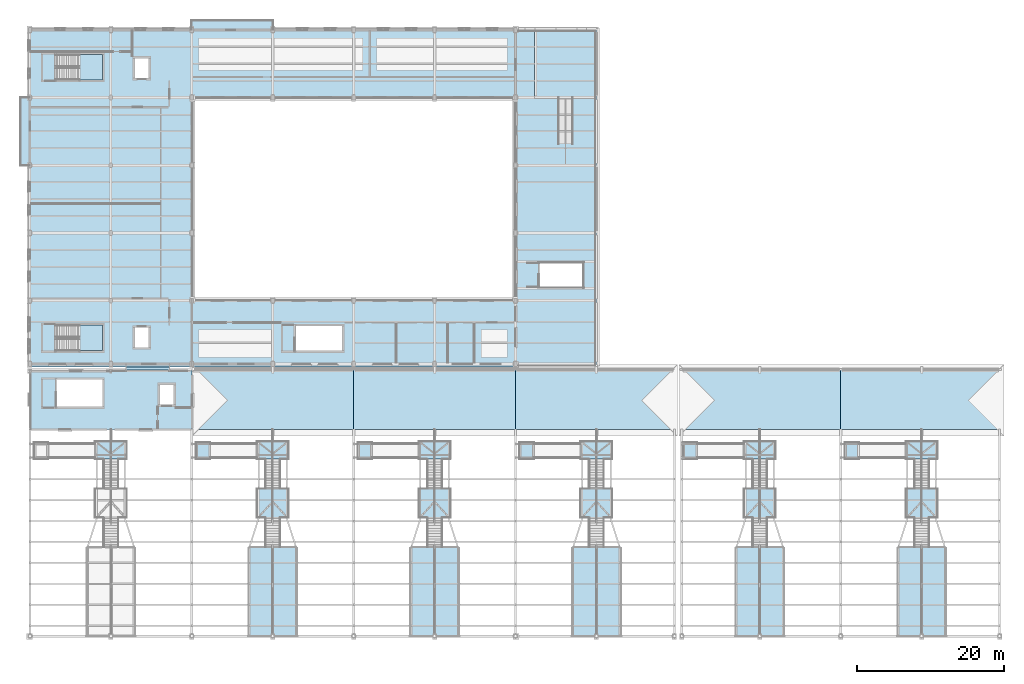
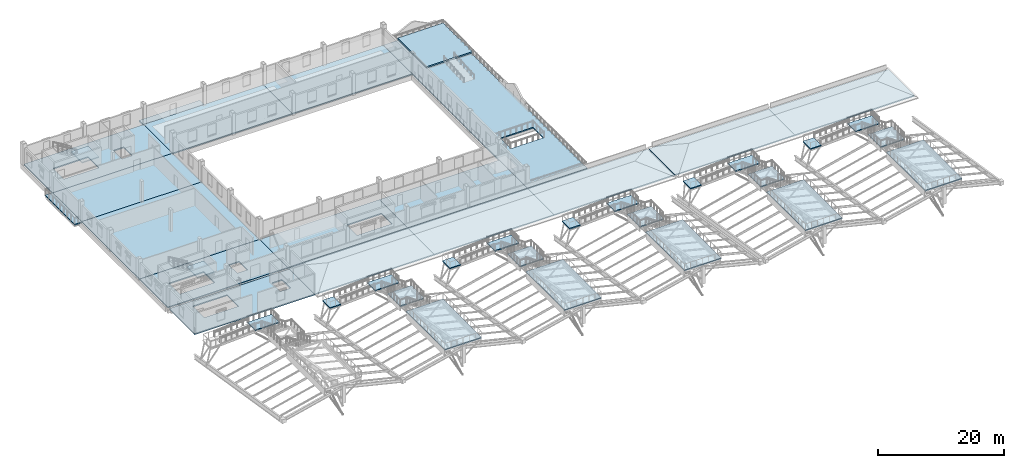
# One storey, part 16 of 43: 42 slabs, 8 elements without a shape of their own.
"""IFC4 building model written with IfcOpenShell, lengths in metres."""

from ifc_helpers import new_model, si_unit, direction, frame, origin, place, context, subcontext, project, spatial, polyline, outline, extrude, material, layer, layer_set, type_object, element, aggregate, save


model = new_model("IFC4")

# Units and contexts
model_context = context("Model", 3, precision=1e-05, world=origin(), true_north=direction((0.0, 1.0)))
body_context = subcontext(model_context, "Body", "Model", "MODEL_VIEW")
ifc_project = project(units=[si_unit("LENGTHUNIT", "METRE"), si_unit("AREAUNIT", "SQUARE_METRE"), si_unit("VOLUMEUNIT", "CUBIC_METRE"), si_unit("PLANEANGLEUNIT", "RADIAN"), si_unit("MASSUNIT", "GRAM", prefix="KILO")], contexts=[model_context])

# Site, building, storey
site_placement = place(None, origin())
site = spatial("IfcSite", under=ifc_project, at=site_placement, CompositionType="ELEMENT")
building_placement = place(site_placement, origin())
building = spatial("IfcBuilding", under=site, at=building_placement, Name="Caurita Quay Ferry Terminal", CompositionType="ELEMENT")
storey_placement = place(building_placement, frame((0.0, 0.0, 14.10009765625)))
storey = spatial("IfcBuildingStorey", under=building, at=storey_placement, Name="L03", CompositionType="ELEMENT", Elevation=14.10009765625)

# Slabs
ifc_material = material(Name="Reinforced concrete C35/45", Category="concrete")
ifc_layer_1 = layer(ifc_material, 0.219970703125, Name="Reinforced concrete floor slab 220 mm")
ifc_layer_set_1 = layer_set([ifc_layer_1], Name="Reinforced concrete C35/45")
slab_type_1 = type_object("IfcSlabType", Name="SLB-BAL-220", PredefinedType="FLOOR", material=ifc_layer_set_1)
slab_1_placement = place(storey_placement, frame((0.0, 0.0, -0.22021484375)))
element("IfcSlab", 1, at=slab_1_placement, inside=storey, type_object=slab_type_1, Name="Crew Lounge Street Rejas Balcony", PredefinedType="FLOOR", context=body_context, shape_type="SweptSolid", body=[
    extrude(outline(polyline([(21.89990234375, 117.0), (33.10009765625, 117.0), (33.10009765625, 118.35009765625), (21.89990234375, 118.35009765625), (21.89990234375, 117.0)])), origin(), (0.0, 0.0, 1.0), 0.22021484375),
])
slab_2_placement = place(storey_placement, frame((0.0, 0.0, -0.22021484375)))
element("IfcSlab", 2, at=slab_2_placement, inside=storey, type_object=slab_type_1, Name="Harbour Master Waterfront Rejas Balcony", PredefinedType="FLOOR", context=body_context, shape_type="SweptSolid", body=[
    extrude(outline(polyline([(-1.35009765625, 98.5), (0.0, 98.5), (0.0, 107.89990234375), (-1.35009765625, 107.89990234375), (-1.35009765625, 98.5)])), origin(), (0.0, 0.0, 1.0), 0.22021484375),
])
ifc_layer_2 = layer(ifc_material, 0.219970703125, Name="Reinforced concrete floor slab 220 mm")
ifc_layer_set_2 = layer_set([ifc_layer_2], Name="Reinforced concrete C35/45")
slab_type_2 = type_object("IfcSlabType", Name="SLB-FLR-220", PredefinedType="FLOOR", material=ifc_layer_set_2)
slab_3_placement = place(storey_placement, frame((0.0, 0.0, -0.22021484375)))
element("IfcSlab", 3, at=slab_3_placement, inside=storey, type_object=slab_type_2, Name="L03 SJ4-W Slab 01", PredefinedType="FLOOR", context=body_context, shape_type="SweptSolid", body=[
    extrude(outline(polyline([(13.0, 70.760009765625), (19.0, 70.760009765625), (19.0, 71.18994140625), (13.0, 71.18994140625), (13.0, 70.760009765625)])), origin(), (0.0, 0.0, 1.0), 0.22021484375),
])
slab_4_placement = place(storey_placement, frame((0.0, 0.0, -0.22021484375)))
element("IfcSlab", 4, at=slab_4_placement, inside=storey, type_object=slab_type_2, Name="L03 V1-BLV Slab 01", PredefinedType="FLOOR", context=body_context, shape_type="SweptSolid", body=[
    extrude(outline(polyline([(0.0, 62.699951171875), (22.0, 62.699951171875), (22.0, 70.75), (0.0, 70.75), (0.0, 62.699951171875)]), holes=[polyline([(3.550048828125, 65.800048828125), (9.85009765625, 65.800048828125), (9.85009765625, 69.4599609375), (3.550048828125, 69.4599609375), (3.550048828125, 65.800048828125)]), polyline([(17.655029296875, 66.054931640625), (19.544921875, 66.054931640625), (19.544921875, 68.7451171875), (17.655029296875, 68.7451171875), (17.655029296875, 66.054931640625)])]), origin(), (0.0, 0.0, 1.0), 0.22021484375),
])
slab_5_placement = place(storey_placement, frame((0.0, 0.0, -0.22021484375)))
element("IfcSlab", 5, at=slab_5_placement, inside=storey, type_object=slab_type_2, Name="L03 V5-FLR Slab 01", PredefinedType="FLOOR", context=body_context, shape_type="SweptSolid", body=[
    extrude(outline(polyline([(0.0, 71.199951171875), (22.0, 71.199951171875), (22.0, 80.199951171875), (0.0, 80.199951171875), (0.0, 71.199951171875)]), holes=[polyline([(3.449951171875, 73.39990234375), (9.85009765625, 73.39990234375), (9.85009765625, 76.860107421875), (3.449951171875, 76.860107421875), (3.449951171875, 73.39990234375)]), polyline([(14.2548828125, 73.85498046875), (16.14501953125, 73.85498046875), (16.14501953125, 76.544921875), (14.2548828125, 76.544921875), (14.2548828125, 73.85498046875)])]), origin(), (0.0, 0.0, 1.0), 0.22021484375),
])
slab_6_placement = place(storey_placement, frame((0.0, 0.0, -0.22021484375)))
element("IfcSlab", 6, at=slab_6_placement, inside=storey, type_object=slab_type_2, Name="L03 V5-FLR Slab 02", PredefinedType="FLOOR", context=body_context, shape_type="SweptSolid", body=[
    extrude(outline(polyline([(0.0, 80.199951171875), (22.0, 80.199951171875), (22.0, 98.60009765625), (0.0, 98.60009765625), (0.0, 80.199951171875)])), origin(), (0.0, 0.0, 1.0), 0.22021484375),
])
slab_7_placement = place(storey_placement, frame((0.0, 0.0, -0.22021484375)))
element("IfcSlab", 7, at=slab_7_placement, inside=storey, type_object=slab_type_2, Name="L03 V5-FLR Slab 03", PredefinedType="FLOOR", context=body_context, shape_type="SweptSolid", body=[
    extrude(outline(polyline([(0.0, 98.60009765625), (22.0, 98.60009765625), (22.0, 107.800048828125), (0.0, 107.800048828125), (0.0, 98.60009765625)])), origin(), (0.0, 0.0, 1.0), 0.22021484375),
])
slab_8_placement = place(storey_placement, frame((0.0, 0.0, -0.22021484375)))
element("IfcSlab", 8, at=slab_8_placement, inside=storey, type_object=slab_type_2, Name="L03 V5-FLR Slab 04", PredefinedType="FLOOR", context=body_context, shape_type="SweptSolid", body=[
    extrude(outline(polyline([(0.0, 107.800048828125), (22.0, 107.800048828125), (22.0, 117.0), (0.0, 117.0), (0.0, 107.800048828125)]), holes=[polyline([(3.449951171875, 110.199951171875), (9.85009765625, 110.199951171875), (9.85009765625, 113.659912109375), (3.449951171875, 113.659912109375), (3.449951171875, 110.199951171875)]), polyline([(14.2548828125, 110.455078125), (16.14501953125, 110.455078125), (16.14501953125, 113.14501953125), (14.2548828125, 113.14501953125), (14.2548828125, 110.455078125)])]), origin(), (0.0, 0.0, 1.0), 0.22021484375),
])
slab_9_placement = place(storey_placement, frame((0.0, 0.0, -0.22021484375)))
element("IfcSlab", 9, at=slab_9_placement, inside=storey, type_object=slab_type_2, Name="L03 V5-FLR Slab 05", PredefinedType="FLOOR", context=body_context, shape_type="SweptSolid", body=[
    extrude(outline(polyline([(22.0, 71.199951171875), (44.0, 71.199951171875), (44.0, 80.199951171875), (22.0, 80.199951171875), (22.0, 71.199951171875)]), holes=[polyline([(36.0, 73.39990234375), (42.449951171875, 73.39990234375), (42.449951171875, 76.760009765625), (36.0, 76.760009765625), (36.0, 73.39990234375)])]), origin(), (0.0, 0.0, 1.0), 0.22021484375),
])
slab_10_placement = place(storey_placement, frame((0.0, 0.0, -0.22021484375)))
element("IfcSlab", 10, at=slab_10_placement, inside=storey, type_object=slab_type_2, Name="L03 V5-FLR Slab 06", PredefinedType="FLOOR", context=body_context, shape_type="SweptSolid", body=[
    extrude(outline(polyline([(22.0, 107.800048828125), (44.0, 107.800048828125), (44.0, 117.0), (22.0, 117.0), (22.0, 107.800048828125)])), origin(), (0.0, 0.0, 1.0), 0.22021484375),
])
slab_11_placement = place(storey_placement, frame((0.0, 0.0, -0.22021484375)))
element("IfcSlab", 11, at=slab_11_placement, inside=storey, type_object=slab_type_2, Name="L03 V5-FLR Slab 07", PredefinedType="FLOOR", context=body_context, shape_type="SweptSolid", body=[
    extrude(outline(polyline([(44.0, 71.199951171875), (66.0, 71.199951171875), (66.0, 80.199951171875), (44.0, 80.199951171875), (44.0, 71.199951171875)])), origin(), (0.0, 0.0, 1.0), 0.22021484375),
])
slab_12_placement = place(storey_placement, frame((0.0, 0.0, -0.22021484375)))
element("IfcSlab", 12, at=slab_12_placement, inside=storey, type_object=slab_type_2, Name="L03 V5-FLR Slab 08", PredefinedType="FLOOR", context=body_context, shape_type="SweptSolid", body=[
    extrude(outline(polyline([(44.0, 107.800048828125), (66.0, 107.800048828125), (66.0, 117.0), (44.0, 117.0), (44.0, 107.800048828125)])), origin(), (0.0, 0.0, 1.0), 0.22021484375),
])
ifc_layer_3 = layer(ifc_material, 0.260009765625, Name="Reinforced concrete floor slab 260 mm")
ifc_layer_set_3 = layer_set([ifc_layer_3], Name="Reinforced concrete C35/45")
slab_type_3 = type_object("IfcSlabType", Name="SLB-GDN-260", PredefinedType="FLOOR", material=ifc_layer_set_3)
slab_13_placement = place(storey_placement, frame((0.0, 0.0, 0.18994140625)))
element("IfcSlab", 13, at=slab_13_placement, inside=storey, type_object=slab_type_3, Name="Harbour Lookout Overlook Platform", PredefinedType="FLOOR", context=body_context, shape_type="SweptSolid", body=[
    extrude(outline(polyline([(68.60009765625, 107.800048828125), (77.0, 107.800048828125), (77.0, 117.0), (68.60009765625, 117.0), (68.60009765625, 107.800048828125)])), origin(), (0.0, 0.0, 1.0), 0.260009765625),
])

# Stair, slab
stair_type_1 = type_object("IfcStairType", Name="STR-DL-03", PredefinedType="HALF_TURN_STAIR", material=ifc_material)
stair_1_placement = place(storey_placement, origin())
stair_1 = element("IfcStair", 14, at=stair_1_placement, inside=storey, type_object=stair_type_1, Name="L03 Protected Exit Stair ST-01", PredefinedType="HALF_TURN_STAIR")
ifc_layer_4 = layer(ifc_material, 0.199951171875, Name="Reinforced concrete landing slab 200 mm")
ifc_layer_set_4 = layer_set([ifc_layer_4], Name="Reinforced concrete C35/45")
slab_type_4 = type_object("IfcSlabType", Name="SLB-LND-200", PredefinedType="LANDING", material=ifc_layer_set_4)
slab_14_placement = place(storey_placement, frame((0.0, 0.0, 1.89990234375)))
slab_14 = element("IfcSlab", 15, at=slab_14_placement, type_object=slab_type_4, Name="ST-01 landing 1", PredefinedType="LANDING", context=body_context, shape_type="SweptSolid", body=[
    extrude(outline(polyline([(6.75, 110.199951171875), (9.85009765625, 110.199951171875), (9.85009765625, 113.659912109375), (6.75, 113.659912109375), (6.75, 110.199951171875)])), origin(), (0.0, 0.0, 1.0), 0.199951171875),
])
aggregate(stair_1, [slab_14])

stair_2_placement = place(storey_placement, origin())
stair_2 = element("IfcStair", 16, at=stair_2_placement, inside=storey, type_object=stair_type_1, Name="L03 Protected Exit Stair ST-02", PredefinedType="HALF_TURN_STAIR")
slab_15_placement = place(storey_placement, frame((0.0, 0.0, 1.89990234375)))
slab_15 = element("IfcSlab", 17, at=slab_15_placement, type_object=slab_type_4, Name="ST-02 landing 1", PredefinedType="LANDING", context=body_context, shape_type="SweptSolid", body=[
    extrude(outline(polyline([(6.75, 73.39990234375), (9.85009765625, 73.39990234375), (9.85009765625, 76.860107421875), (6.75, 76.860107421875), (6.75, 73.39990234375)])), origin(), (0.0, 0.0, 1.0), 0.199951171875),
])
aggregate(stair_2, [slab_15])

stair_type_2 = type_object("IfcStairType", Name="STR-PK-01", PredefinedType="STRAIGHT_RUN_STAIR", material=ifc_material)
stair_3_placement = place(storey_placement, origin())
stair_3 = element("IfcStair", 18, at=stair_3_placement, inside=storey, type_object=stair_type_2, Name="Folded Roof Bay 1 Lookout Stair ST-15", PredefinedType="STRAIGHT_RUN_STAIR")
slab_16_placement = place(storey_placement, frame((0.0, 0.0, -0.10009765625)))
slab_16 = element("IfcSlab", 19, at=slab_16_placement, type_object=slab_type_4, Name="ST-15 landing 1", PredefinedType="LANDING", context=body_context, shape_type="SweptSolid", body=[
    extrude(outline(polyline([(8.800048828125, 58.64990234375), (13.199951171875, 58.64990234375), (13.199951171875, 61.14990234375), (8.800048828125, 61.14990234375), (8.800048828125, 58.64990234375)])), origin(), (0.0, 0.0, 1.0), 0.199951171875),
])
aggregate(stair_3, [slab_16])

# Stair, slabs
stair_4_placement = place(storey_placement, origin())
stair_4 = element("IfcStair", 20, at=stair_4_placement, inside=storey, type_object=stair_type_2, Name="Folded Roof Bay 2 Lookout Stair ST-16", PredefinedType="STRAIGHT_RUN_STAIR")
slab_17_placement = place(storey_placement, frame((0.0, 0.0, -0.10009765625)))
slab_17 = element("IfcSlab", 21, at=slab_17_placement, type_object=slab_type_4, Name="ST-16 landing 1", PredefinedType="LANDING", context=body_context, shape_type="SweptSolid", body=[
    extrude(outline(polyline([(30.800048828125, 58.64990234375), (35.199951171875, 58.64990234375), (35.199951171875, 61.14990234375), (30.800048828125, 61.14990234375), (30.800048828125, 58.64990234375)])), origin(), (0.0, 0.0, 1.0), 0.199951171875),
])
slab_18_placement = place(storey_placement, frame((0.0, 0.0, 1.699951171875)))
slab_18 = element("IfcSlab", 22, at=slab_18_placement, type_object=slab_type_4, Name="ST-16 landing 2", PredefinedType="LANDING", context=body_context, shape_type="SweptSolid", body=[
    extrude(outline(polyline([(30.800048828125, 50.68994140625), (35.199951171875, 50.68994140625), (35.199951171875, 54.68994140625), (30.800048828125, 54.68994140625), (30.800048828125, 50.68994140625)])), origin(), (0.0, 0.0, 1.0), 0.199951171875),
])
slab_19_placement = place(storey_placement, frame((0.0, 0.0, 3.5)))
slab_19 = element("IfcSlab", 23, at=slab_19_placement, type_object=slab_type_4, Name="Waterside Peak Lookout Platform 2", PredefinedType="LANDING", context=body_context, shape_type="SweptSolid", body=[
    extrude(outline(polyline([(29.60009765625, 34.449951171875), (36.39990234375, 34.449951171875), (36.39990234375, 46.72998046875), (29.60009765625, 46.72998046875), (29.60009765625, 34.449951171875)])), origin(), (0.0, 0.0, 1.0), 0.199951171875),
])
aggregate(stair_4, [slab_17, slab_18, slab_19])

stair_5_placement = place(storey_placement, origin())
stair_5 = element("IfcStair", 24, at=stair_5_placement, inside=storey, type_object=stair_type_2, Name="Folded Roof Bay 3 Lookout Stair ST-17", PredefinedType="STRAIGHT_RUN_STAIR")
slab_20_placement = place(storey_placement, frame((0.0, 0.0, -0.10009765625)))
slab_20 = element("IfcSlab", 25, at=slab_20_placement, type_object=slab_type_4, Name="ST-17 landing 1", PredefinedType="LANDING", context=body_context, shape_type="SweptSolid", body=[
    extrude(outline(polyline([(52.800048828125, 58.64990234375), (57.199951171875, 58.64990234375), (57.199951171875, 61.14990234375), (52.800048828125, 61.14990234375), (52.800048828125, 58.64990234375)])), origin(), (0.0, 0.0, 1.0), 0.199951171875),
])
slab_21_placement = place(storey_placement, frame((0.0, 0.0, 1.699951171875)))
slab_21 = element("IfcSlab", 26, at=slab_21_placement, type_object=slab_type_4, Name="ST-17 landing 2", PredefinedType="LANDING", context=body_context, shape_type="SweptSolid", body=[
    extrude(outline(polyline([(52.800048828125, 50.68994140625), (57.199951171875, 50.68994140625), (57.199951171875, 54.68994140625), (52.800048828125, 54.68994140625), (52.800048828125, 50.68994140625)])), origin(), (0.0, 0.0, 1.0), 0.199951171875),
])
slab_22_placement = place(storey_placement, frame((0.0, 0.0, 3.5)))
slab_22 = element("IfcSlab", 27, at=slab_22_placement, type_object=slab_type_4, Name="Waterside Peak Lookout Platform 3", PredefinedType="LANDING", context=body_context, shape_type="SweptSolid", body=[
    extrude(outline(polyline([(51.60009765625, 34.449951171875), (58.39990234375, 34.449951171875), (58.39990234375, 46.72998046875), (51.60009765625, 46.72998046875), (51.60009765625, 34.449951171875)])), origin(), (0.0, 0.0, 1.0), 0.199951171875),
])
aggregate(stair_5, [slab_20, slab_21, slab_22])

stair_6_placement = place(storey_placement, origin())
stair_6 = element("IfcStair", 28, at=stair_6_placement, inside=storey, type_object=stair_type_2, Name="Folded Roof Bay 4 Lookout Stair ST-18", PredefinedType="STRAIGHT_RUN_STAIR")
slab_23_placement = place(storey_placement, frame((0.0, 0.0, -0.10009765625)))
slab_23 = element("IfcSlab", 29, at=slab_23_placement, type_object=slab_type_4, Name="ST-18 landing 1", PredefinedType="LANDING", context=body_context, shape_type="SweptSolid", body=[
    extrude(outline(polyline([(74.800048828125, 58.64990234375), (79.199951171875, 58.64990234375), (79.199951171875, 61.14990234375), (74.800048828125, 61.14990234375), (74.800048828125, 58.64990234375)])), origin(), (0.0, 0.0, 1.0), 0.199951171875),
])
slab_24_placement = place(storey_placement, frame((0.0, 0.0, 1.699951171875)))
slab_24 = element("IfcSlab", 30, at=slab_24_placement, type_object=slab_type_4, Name="ST-18 landing 2", PredefinedType="LANDING", context=body_context, shape_type="SweptSolid", body=[
    extrude(outline(polyline([(74.800048828125, 50.68994140625), (79.199951171875, 50.68994140625), (79.199951171875, 54.68994140625), (74.800048828125, 54.68994140625), (74.800048828125, 50.68994140625)])), origin(), (0.0, 0.0, 1.0), 0.199951171875),
])
slab_25_placement = place(storey_placement, frame((0.0, 0.0, 3.5)))
slab_25 = element("IfcSlab", 31, at=slab_25_placement, type_object=slab_type_4, Name="Waterside Peak Lookout Platform 4", PredefinedType="LANDING", context=body_context, shape_type="SweptSolid", body=[
    extrude(outline(polyline([(73.60009765625, 34.449951171875), (80.39990234375, 34.449951171875), (80.39990234375, 46.72998046875), (73.60009765625, 46.72998046875), (73.60009765625, 34.449951171875)])), origin(), (0.0, 0.0, 1.0), 0.199951171875),
])
aggregate(stair_6, [slab_23, slab_24, slab_25])

stair_7_placement = place(storey_placement, origin())
stair_7 = element("IfcStair", 32, at=stair_7_placement, inside=storey, type_object=stair_type_2, Name="Folded Roof Bay 5 Lookout Stair ST-19", PredefinedType="STRAIGHT_RUN_STAIR")
slab_26_placement = place(storey_placement, frame((0.0, 0.0, -0.10009765625)))
slab_26 = element("IfcSlab", 33, at=slab_26_placement, type_object=slab_type_4, Name="ST-19 landing 1", PredefinedType="LANDING", context=body_context, shape_type="SweptSolid", body=[
    extrude(outline(polyline([(97.0, 58.64990234375), (101.39990234375, 58.64990234375), (101.39990234375, 61.14990234375), (97.0, 61.14990234375), (97.0, 58.64990234375)])), origin(), (0.0, 0.0, 1.0), 0.199951171875),
])
slab_27_placement = place(storey_placement, frame((0.0, 0.0, 1.699951171875)))
slab_27 = element("IfcSlab", 34, at=slab_27_placement, type_object=slab_type_4, Name="ST-19 landing 2", PredefinedType="LANDING", context=body_context, shape_type="SweptSolid", body=[
    extrude(outline(polyline([(97.0, 50.68994140625), (101.39990234375, 50.68994140625), (101.39990234375, 54.68994140625), (97.0, 54.68994140625), (97.0, 50.68994140625)])), origin(), (0.0, 0.0, 1.0), 0.199951171875),
])
slab_28_placement = place(storey_placement, frame((0.0, 0.0, 3.5)))
slab_28 = element("IfcSlab", 35, at=slab_28_placement, type_object=slab_type_4, Name="Waterside Peak Lookout Platform 5", PredefinedType="LANDING", context=body_context, shape_type="SweptSolid", body=[
    extrude(outline(polyline([(95.800048828125, 34.449951171875), (102.60009765625, 34.449951171875), (102.60009765625, 46.72998046875), (95.800048828125, 46.72998046875), (95.800048828125, 34.449951171875)])), origin(), (0.0, 0.0, 1.0), 0.199951171875),
])
aggregate(stair_7, [slab_26, slab_27, slab_28])

stair_8_placement = place(storey_placement, origin())
stair_8 = element("IfcStair", 36, at=stair_8_placement, inside=storey, type_object=stair_type_2, Name="Folded Roof Bay 6 Lookout Stair ST-20", PredefinedType="STRAIGHT_RUN_STAIR")
slab_29_placement = place(storey_placement, frame((0.0, 0.0, -0.10009765625)))
slab_29 = element("IfcSlab", 37, at=slab_29_placement, type_object=slab_type_4, Name="ST-20 landing 1", PredefinedType="LANDING", context=body_context, shape_type="SweptSolid", body=[
    extrude(outline(polyline([(119.0, 58.64990234375), (123.39990234375, 58.64990234375), (123.39990234375, 61.14990234375), (119.0, 61.14990234375), (119.0, 58.64990234375)])), origin(), (0.0, 0.0, 1.0), 0.199951171875),
])
slab_30_placement = place(storey_placement, frame((0.0, 0.0, 1.699951171875)))
slab_30 = element("IfcSlab", 38, at=slab_30_placement, type_object=slab_type_4, Name="ST-20 landing 2", PredefinedType="LANDING", context=body_context, shape_type="SweptSolid", body=[
    extrude(outline(polyline([(119.0, 50.68994140625), (123.39990234375, 50.68994140625), (123.39990234375, 54.68994140625), (119.0, 54.68994140625), (119.0, 50.68994140625)])), origin(), (0.0, 0.0, 1.0), 0.199951171875),
])
slab_31_placement = place(storey_placement, frame((0.0, 0.0, 3.5)))
slab_31 = element("IfcSlab", 39, at=slab_31_placement, type_object=slab_type_4, Name="Waterside Peak Lookout Platform 6", PredefinedType="LANDING", context=body_context, shape_type="SweptSolid", body=[
    extrude(outline(polyline([(117.800048828125, 34.449951171875), (124.60009765625, 34.449951171875), (124.60009765625, 46.72998046875), (117.800048828125, 46.72998046875), (117.800048828125, 34.449951171875)])), origin(), (0.0, 0.0, 1.0), 0.199951171875),
])
aggregate(stair_8, [slab_29, slab_30, slab_31])

# Slabs
slab_32_placement = place(storey_placement, frame((0.0, 0.0, -0.550048828125)))
element("IfcSlab", 40, at=slab_32_placement, inside=storey, type_object=slab_type_4, Name="Folded Roof Bay 2 Accessible Lookout Ramp Lower Threshold Landing", PredefinedType="LANDING", context=body_context, shape_type="SweptSolid", body=[
    extrude(outline(polyline([(22.5, 58.60009765625), (24.5, 58.60009765625), (24.5, 61.0), (22.5, 61.0), (22.5, 58.60009765625)])), origin(), (0.0, 0.0, 1.0), 0.199951171875),
])
slab_33_placement = place(storey_placement, frame((0.0, 0.0, -0.550048828125)))
element("IfcSlab", 41, at=slab_33_placement, inside=storey, type_object=slab_type_4, Name="Folded Roof Bay 3 Accessible Lookout Ramp Lower Threshold Landing", PredefinedType="LANDING", context=body_context, shape_type="SweptSolid", body=[
    extrude(outline(polyline([(44.5, 58.60009765625), (46.5, 58.60009765625), (46.5, 61.0), (44.5, 61.0), (44.5, 58.60009765625)])), origin(), (0.0, 0.0, 1.0), 0.199951171875),
])
slab_34_placement = place(storey_placement, frame((0.0, 0.0, -0.550048828125)))
element("IfcSlab", 42, at=slab_34_placement, inside=storey, type_object=slab_type_4, Name="Folded Roof Bay 4 Accessible Lookout Ramp Lower Threshold Landing", PredefinedType="LANDING", context=body_context, shape_type="SweptSolid", body=[
    extrude(outline(polyline([(66.5, 58.60009765625), (68.5, 58.60009765625), (68.5, 61.0), (66.5, 61.0), (66.5, 58.60009765625)])), origin(), (0.0, 0.0, 1.0), 0.199951171875),
])
slab_35_placement = place(storey_placement, frame((0.0, 0.0, -0.550048828125)))
element("IfcSlab", 43, at=slab_35_placement, inside=storey, type_object=slab_type_4, Name="Folded Roof Bay 5 Accessible Lookout Ramp Lower Threshold Landing", PredefinedType="LANDING", context=body_context, shape_type="SweptSolid", body=[
    extrude(outline(polyline([(88.699951171875, 58.60009765625), (90.699951171875, 58.60009765625), (90.699951171875, 61.0), (88.699951171875, 61.0), (88.699951171875, 58.60009765625)])), origin(), (0.0, 0.0, 1.0), 0.199951171875),
])
slab_36_placement = place(storey_placement, frame((0.0, 0.0, -0.550048828125)))
element("IfcSlab", 44, at=slab_36_placement, inside=storey, type_object=slab_type_4, Name="Folded Roof Bay 6 Accessible Lookout Ramp Lower Threshold Landing", PredefinedType="LANDING", context=body_context, shape_type="SweptSolid", body=[
    extrude(outline(polyline([(110.699951171875, 58.60009765625), (112.699951171875, 58.60009765625), (112.699951171875, 61.0), (110.699951171875, 61.0), (110.699951171875, 58.60009765625)])), origin(), (0.0, 0.0, 1.0), 0.199951171875),
])
ifc_layer_5 = layer(ifc_material, 0.2099609375, Name="Reinforced concrete roof slab 210 mm")
ifc_layer_set_5 = layer_set([ifc_layer_5], Name="Reinforced concrete C35/45")
slab_type_5 = type_object("IfcSlabType", Name="SLB-RF-210", PredefinedType="ROOF", material=ifc_layer_set_5)
slab_37_placement = place(storey_placement, frame((0.0, 0.0, -0.210205078125)))
element("IfcSlab", 45, at=slab_37_placement, inside=storey, type_object=slab_type_5, Name="L03 V1-MRF Slab 01", PredefinedType="ROOF", context=body_context, shape_type="SweptSolid", body=[
    extrude(outline(polyline([(22.0, 62.699951171875), (44.0, 62.699951171875), (44.0, 71.0), (22.0, 71.0), (22.0, 62.699951171875)])), origin(), (0.0, 0.0, 1.0), 0.210205078125),
])
slab_38_placement = place(storey_placement, frame((0.0, 0.0, -0.210205078125)))
element("IfcSlab", 46, at=slab_38_placement, inside=storey, type_object=slab_type_5, Name="L03 V1-MRF Slab 02", PredefinedType="ROOF", context=body_context, shape_type="SweptSolid", body=[
    extrude(outline(polyline([(44.0, 62.699951171875), (66.0, 62.699951171875), (66.0, 71.0), (44.0, 71.0), (44.0, 62.699951171875)])), origin(), (0.0, 0.0, 1.0), 0.210205078125),
])
slab_39_placement = place(storey_placement, frame((0.0, 0.0, -0.210205078125)))
element("IfcSlab", 47, at=slab_39_placement, inside=storey, type_object=slab_type_5, Name="L03 V1-MRF Slab 03", PredefinedType="ROOF", context=body_context, shape_type="SweptSolid", body=[
    extrude(outline(polyline([(66.0, 62.699951171875), (88.0, 62.699951171875), (88.0, 71.0), (66.0, 71.0), (66.0, 62.699951171875)])), origin(), (0.0, 0.0, 1.0), 0.210205078125),
])
slab_40_placement = place(storey_placement, frame((0.0, 0.0, -0.210205078125)))
element("IfcSlab", 48, at=slab_40_placement, inside=storey, type_object=slab_type_5, Name="L03 V2-MRF Slab 01", PredefinedType="ROOF", context=body_context, shape_type="SweptSolid", body=[
    extrude(outline(polyline([(88.199951171875, 62.699951171875), (110.199951171875, 62.699951171875), (110.199951171875, 71.0), (88.199951171875, 71.0), (88.199951171875, 62.699951171875)])), origin(), (0.0, 0.0, 1.0), 0.210205078125),
])
slab_41_placement = place(storey_placement, frame((0.0, 0.0, -0.210205078125)))
element("IfcSlab", 49, at=slab_41_placement, inside=storey, type_object=slab_type_5, Name="L03 V2-MRF Slab 02", PredefinedType="ROOF", context=body_context, shape_type="SweptSolid", body=[
    extrude(outline(polyline([(110.199951171875, 62.699951171875), (132.199951171875, 62.699951171875), (132.199951171875, 71.0), (110.199951171875, 71.0), (110.199951171875, 62.699951171875)])), origin(), (0.0, 0.0, 1.0), 0.210205078125),
])
slab_42_placement = place(storey_placement, frame((0.0, 0.0, -0.210205078125)))
element("IfcSlab", 50, at=slab_42_placement, inside=storey, type_object=slab_type_5, Name="Harbour Master Terrace", PredefinedType="ROOF", context=body_context, shape_type="SweptSolid", body=[
    extrude(outline(polyline([(66.0, 71.199951171875), (77.0, 71.199951171875), (77.0, 116.39990234375), (76.39990234375, 116.39990234375), (76.39990234375, 117.0), (66.0, 117.0), (66.0, 71.199951171875)]), holes=[polyline([(69.199951171875, 82.0), (75.199951171875, 82.0), (75.199951171875, 85.360107421875), (69.199951171875, 85.360107421875), (69.199951171875, 82.0)])]), origin(), (0.0, 0.0, 1.0), 0.210205078125),
])

save(model, "model.ifc")
